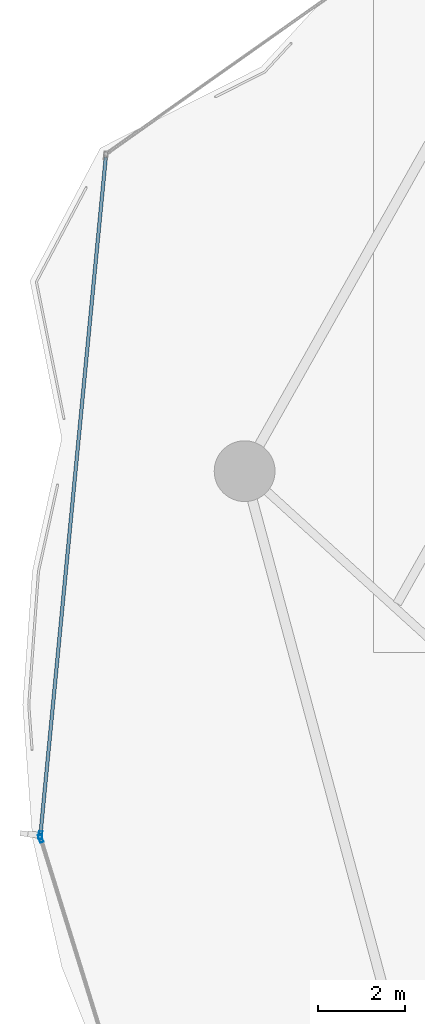
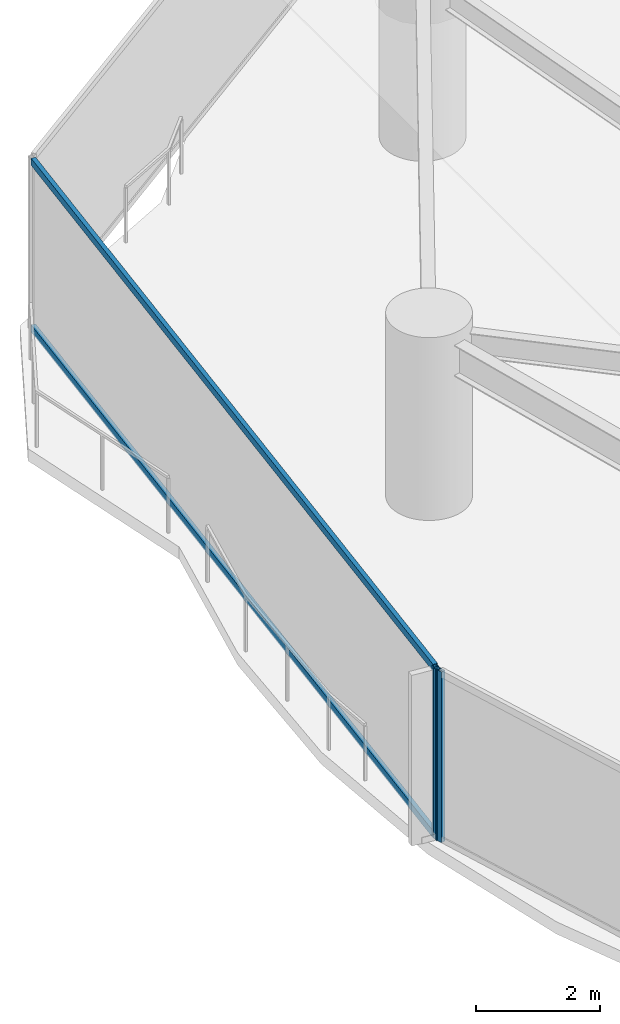
# One storey, part 8 of 32: 4 members, 2 elements without a shape of their own.
"""IFC4 building model written with IfcOpenShell, lengths in metres."""

from ifc_helpers import new_model, si_unit, direction, frame, origin, origin_2d, place, context, subcontext, project, spatial, hollow_rectangle, extrude, material, layer, layer_set, material_profile, profile_set, type_object, element, aggregate, save


model = new_model("IFC4")

# Units and contexts
model_context = context("Model", 3, precision=1e-05, world=origin(), true_north=direction((0.0, 1.0)))
body_context = subcontext(model_context, "Body", "Model", "MODEL_VIEW")
ifc_project = project(units=[si_unit("LENGTHUNIT", "METRE"), si_unit("AREAUNIT", "SQUARE_METRE"), si_unit("VOLUMEUNIT", "CUBIC_METRE"), si_unit("PLANEANGLEUNIT", "RADIAN"), si_unit("MASSUNIT", "GRAM", prefix="KILO")], contexts=[model_context])

# Site, building, storey
site_placement = place(None, origin())
site = spatial("IfcSite", under=ifc_project, at=site_placement, CompositionType="ELEMENT")
building_placement = place(site_placement, origin())
building = spatial("IfcBuilding", under=site, at=building_placement, Name="Kazevale Care Tower and Concert Hall", CompositionType="ELEMENT")
storey_placement = place(building_placement, frame((0.0, 0.0, 38.39990234375)))
storey = spatial("IfcBuildingStorey", under=building, at=storey_placement, Name="L09", CompositionType="ELEMENT", Elevation=38.39990234375)

# Curtain wall, member
ifc_material_1 = material(Name="Aluminium 6063-T6 and Low-E Glass", Category="aluminium")
ifc_layer = layer(ifc_material_1, 0.179931640625)
ifc_layer_set = layer_set([ifc_layer], Name="Aluminium 6063-T6 and Low-E Glass")
curtain_wall_type = type_object("IfcCurtainWallType", Name="Waist & Upper Residential Curtain Wall CW-4", PredefinedType="NOTDEFINED", material=ifc_layer_set)
curtain_wall_1_placement = place(storey_placement, origin())
curtain_wall_1 = element("IfcCurtainWall", 1, at=curtain_wall_1_placement, inside=storey, type_object=curtain_wall_type, Name="cw:L09:f12", PredefinedType="NOTDEFINED")
ifc_material_2 = material(Name="Aluminium 6063-T6", Category="aluminium")
ifc_material_profile_1 = material_profile(ifc_material_2, hollow_rectangle(XDim=0.080078125, YDim=0.179931640625, WallThickness=0.0048828125, at=origin_2d()), Name="ALU80x180x5")
ifc_profile_set_1 = profile_set([ifc_material_profile_1], Name="Aluminium 6063-T6")
member_type_1 = type_object("IfcMemberType", Name="CW-4 Mullion ALU80x180x5", PredefinedType="MULLION", material=ifc_profile_set_1)
member_1_placement = place(storey_placement, frame((9.61572265625, 34.919677734375, 0.0), z_axis=(0.0, 0.0, 1.0), x_axis=(-0.955157326175, -0.296098771112, 0.0)))
member_1 = element("IfcMember", 2, at=member_1_placement, type_object=member_type_1, Name="CW-4 mullion 2", PredefinedType="MULLION", context=body_context, shape_type="SweptSolid", body=[
    extrude(hollow_rectangle(XDim=0.080078125, YDim=0.179931640625, WallThickness=0.0048828125, at=origin_2d()), origin(), (0.0, 0.0, 1.0), 3.360107421875),
])
aggregate(curtain_wall_1, [member_1])

# Curtain wall, members
curtain_wall_2_placement = place(storey_placement, origin())
curtain_wall_2 = element("IfcCurtainWall", 3, at=curtain_wall_2_placement, inside=storey, type_object=curtain_wall_type, Name="cw:L09:f13", PredefinedType="NOTDEFINED")
member_2_placement = place(storey_placement, frame((9.60791015625, 34.997802734375, 0.0), z_axis=(0.0, 0.0, 1.0), x_axis=(-0.995380693067, 0.096006644923, 0.0)))
member_2 = element("IfcMember", 4, at=member_2_placement, type_object=member_type_1, Name="CW-4 mullion 1", PredefinedType="MULLION", context=body_context, shape_type="SweptSolid", body=[
    extrude(hollow_rectangle(XDim=0.080078125, YDim=0.179931640625, WallThickness=0.0048828125, at=origin_2d()), origin(), (0.0, 0.0, 1.0), 3.360107421875),
])
ifc_material_profile_2 = material_profile(ifc_material_2, hollow_rectangle(XDim=0.080078125, YDim=0.139892578125, WallThickness=0.00390625, at=origin_2d()), Name="ALU80x140x4")
ifc_profile_set_2 = profile_set([ifc_material_profile_2], Name="Aluminium 6063-T6")
member_type_2 = type_object("IfcMemberType", Name="CW-4 Transom ALU80x140x4", PredefinedType="USERDEFINED", material=ifc_profile_set_2)
member_3_placement = place(storey_placement, frame((9.611572265625, 35.03759765625, 0.0400390625), z_axis=(0.096010418756, 0.995380329065, 0.0), x_axis=(-0.995380329065, 0.096010418756, 0.0)))
member_3 = element("IfcMember", 5, at=member_3_placement, type_object=member_type_2, Name="CW-4 transom 1.1", ObjectType="TRANSOM", PredefinedType="USERDEFINED", context=body_context, shape_type="SweptSolid", body=[
    extrude(hollow_rectangle(XDim=0.080078125, YDim=0.139892578125, WallThickness=0.00390625, at=origin_2d()), origin(), (0.0, 0.0, 1.0), 15.64111328125),
])
member_4_placement = place(storey_placement, frame((9.611572265625, 35.03759765625, 3.320068359375), z_axis=(0.096010418756, 0.995380329065, 0.0), x_axis=(-0.995380329065, 0.096010418756, 0.0)))
member_4 = element("IfcMember", 6, at=member_4_placement, type_object=member_type_2, Name="CW-4 transom 1.2", ObjectType="TRANSOM", PredefinedType="USERDEFINED", context=body_context, shape_type="SweptSolid", body=[
    extrude(hollow_rectangle(XDim=0.080078125, YDim=0.139892578125, WallThickness=0.00390625, at=origin_2d()), origin(), (0.0, 0.0, 1.0), 15.64111328125),
])
aggregate(curtain_wall_2, [member_2, member_3, member_4])

save(model, "model.ifc")
